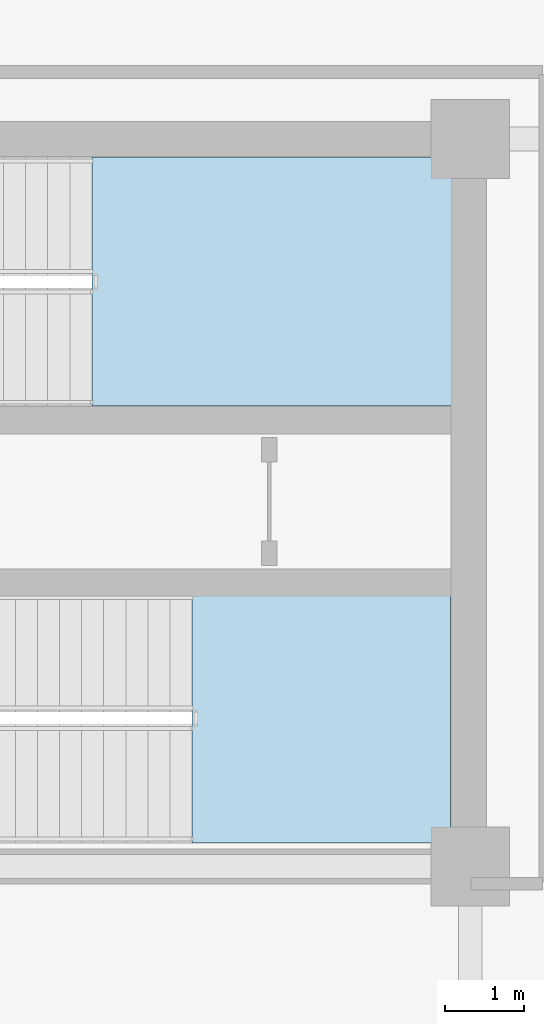
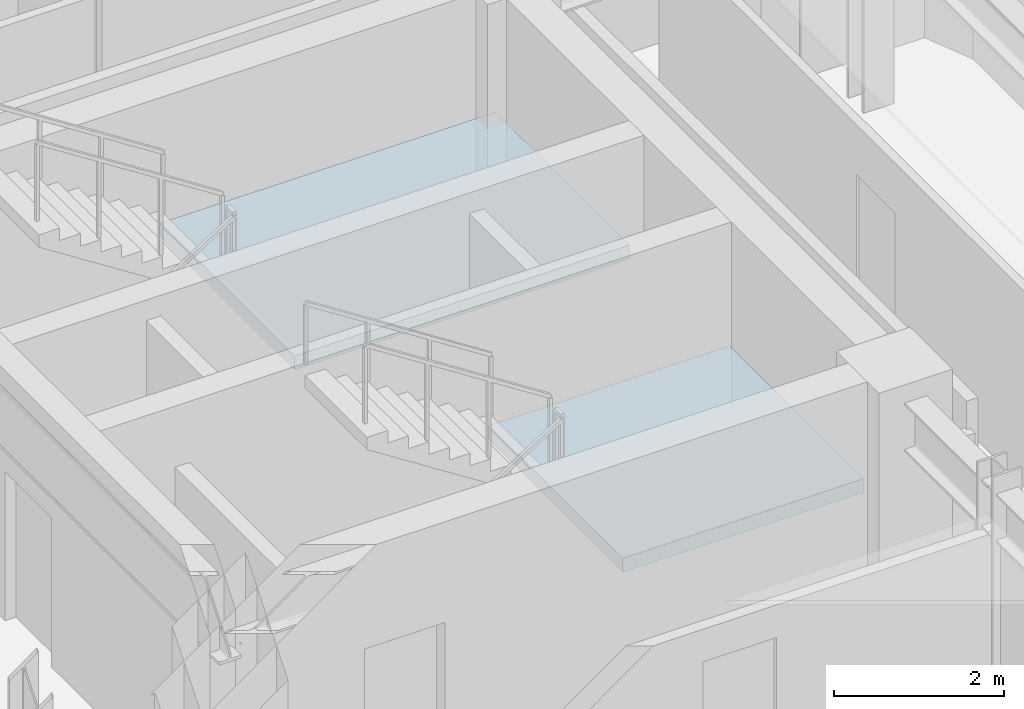
# One storey, part 4 of 13: 2 slabs, 2 elements without a shape of their own.
"""IFC4 building model written with IfcOpenShell, lengths in metres."""

from ifc_helpers import new_model, si_unit, direction, frame, origin, place, context, subcontext, project, spatial, polyline, outline, extrude, material, layer, layer_set, type_object, element, aggregate, save


model = new_model("IFC4")

# Units and contexts
model_context = context("Model", 3, precision=1e-05, world=origin(), true_north=direction((0.0, 1.0)))
body_context = subcontext(model_context, "Body", "Model", "MODEL_VIEW")
ifc_project = project(units=[si_unit("LENGTHUNIT", "METRE"), si_unit("AREAUNIT", "SQUARE_METRE"), si_unit("VOLUMEUNIT", "CUBIC_METRE"), si_unit("PLANEANGLEUNIT", "RADIAN"), si_unit("MASSUNIT", "GRAM", prefix="KILO")], contexts=[model_context])

# Site, building, storey
site_placement = place(None, origin())
site = spatial("IfcSite", under=ifc_project, at=site_placement, CompositionType="ELEMENT")
building_placement = place(site_placement, origin())
building = spatial("IfcBuilding", under=site, at=building_placement, Name="Zarnavel Station Tower", CompositionType="ELEMENT")
storey_placement = place(building_placement, frame((0.0, 0.0, 232.800048828125)))
storey = spatial("IfcBuildingStorey", under=building, at=storey_placement, Name="L63", CompositionType="ELEMENT", Elevation=232.800048828125)

# Stair, slab
ifc_material_1 = material(Name="Concrete C45/55", Category="concrete")
stair_type = type_object("IfcStairType", Name="ST_CORE_150", PredefinedType="HALF_TURN_STAIR", material=ifc_material_1)
stair_1_placement = place(storey_placement, origin())
stair_1 = element("IfcStair", 1, at=stair_1_placement, inside=storey, type_object=stair_type, Name="L63 Core Exit Stair ST2", PredefinedType="HALF_TURN_STAIR")
ifc_material_2 = material(Name="Concrete C45/55", Category="concrete")
ifc_layer = layer(ifc_material_2, 0.199951171875)
ifc_layer_set = layer_set([ifc_layer], Name="SL_STAIR_LAND_200")
slab_type = type_object("IfcSlabType", Name="SL_STAIR_LAND_200", PredefinedType="LANDING", material=ifc_layer_set)
slab_1_placement = place(storey_placement, frame((0.0, 0.0, 1.599853515625)))
slab_1 = element("IfcSlab", 2, at=slab_1_placement, type_object=slab_type, Name="ST2 landing 1", PredefinedType="LANDING", context=body_context, shape_type="SweptSolid", body=[
    extrude(outline(polyline([(40.60009765625, 33.659912109375), (45.159912109375, 33.659912109375), (45.159912109375, 36.820068359375), (40.60009765625, 36.820068359375), (40.60009765625, 33.659912109375)])), origin(), (0.0, 0.0, 1.0), 0.2001953125),
])
aggregate(stair_1, [slab_1])

stair_2_placement = place(storey_placement, origin())
stair_2 = element("IfcStair", 3, at=stair_2_placement, inside=storey, type_object=stair_type, Name="L63 Core Exit Stair ST3", PredefinedType="HALF_TURN_STAIR")
slab_2_placement = place(storey_placement, frame((0.0, 0.0, 1.599853515625)))
slab_2 = element("IfcSlab", 4, at=slab_2_placement, type_object=slab_type, Name="ST3 landing 1", PredefinedType="LANDING", context=body_context, shape_type="SweptSolid", body=[
    extrude(outline(polyline([(41.8701171875, 28.1201171875), (45.14990234375, 28.1201171875), (45.14990234375, 31.280029296875), (41.8701171875, 31.280029296875), (41.8701171875, 28.1201171875)])), origin(), (0.0, 0.0, 1.0), 0.2001953125),
])
aggregate(stair_2, [slab_2])

save(model, "model.ifc")
